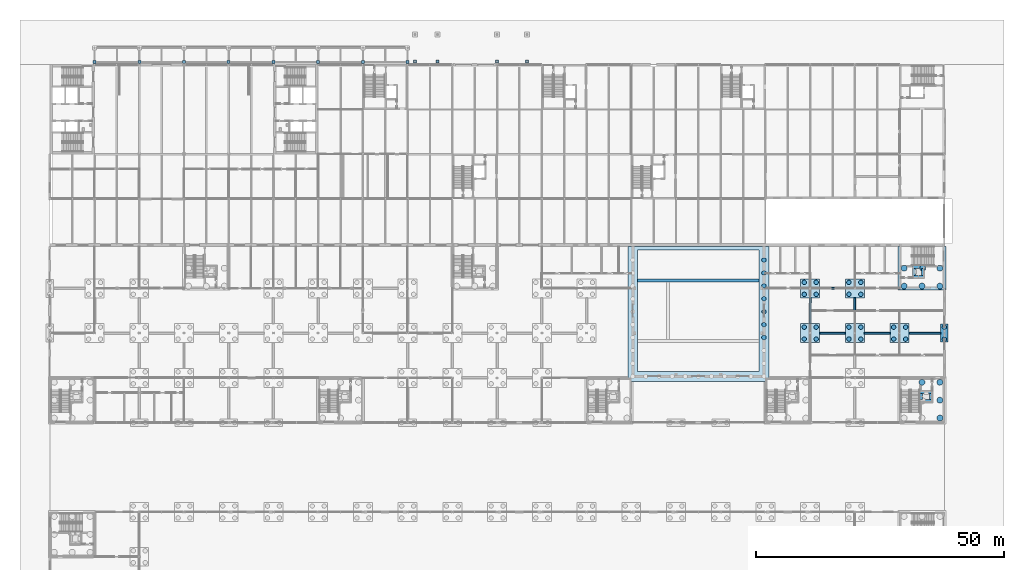
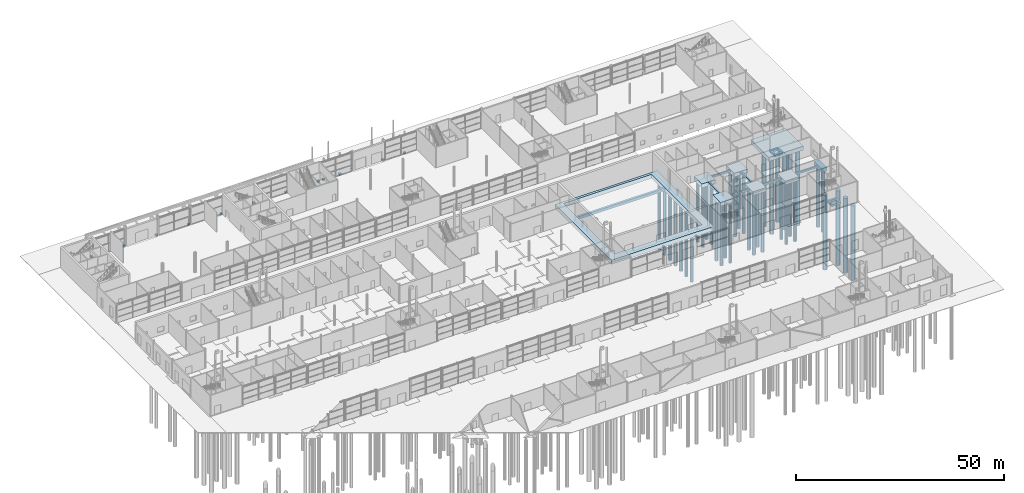
# One storey, part 6 of 97: 39 piles, 35 footings.
"""IFC4 building model written with IfcOpenShell, lengths in metres."""

from ifc_helpers import new_model, si_unit, direction, frame, origin, origin_2d, place, context, subcontext, project, spatial, polyline, rectangle, circle, outline, extrude, material, material_profile, profile_set, type_object, element, save


model = new_model("IFC4")

# Units and contexts
model_context = context("Model", 3, precision=1e-05, world=origin(), true_north=direction((0.0, 1.0)))
body_context = subcontext(model_context, "Body", "Model", "MODEL_VIEW")
ifc_project = project(units=[si_unit("LENGTHUNIT", "METRE"), si_unit("AREAUNIT", "SQUARE_METRE"), si_unit("VOLUMEUNIT", "CUBIC_METRE"), si_unit("PLANEANGLEUNIT", "RADIAN"), si_unit("MASSUNIT", "GRAM", prefix="KILO")], contexts=[model_context])

# Site, building, storey
site_placement = place(None, origin())
site = spatial("IfcSite", under=ifc_project, at=site_placement, CompositionType="ELEMENT")
building_placement = place(site_placement, origin())
building = spatial("IfcBuilding", under=site, at=building_placement, Name="Corbel Yard City Hall", CompositionType="ELEMENT")
storey_placement = place(building_placement, origin())
storey = spatial("IfcBuildingStorey", under=building, at=storey_placement, Name="L00", CompositionType="ELEMENT", Elevation=0.0)

# Footings
ifc_material = material(Name="Concrete N40 (40 MPa)", Category="concrete")
footing_type_1 = type_object("IfcFootingType", Name="Awning Pad Footing 0.6 x 0.6 x 0.5", PredefinedType="PAD_FOOTING", material=ifc_material)
footing_1_placement = place(storey_placement, frame((0.0, 0.0, -0.5)))
element("IfcFooting", 1, at=footing_1_placement, inside=storey, type_object=footing_type_1, Name="Awning Pad Footing B01", PredefinedType="PAD_FOOTING", context=body_context, shape_type="SweptSolid", body=[
    extrude(outline(polyline([(8.699951171875, 117.25), (9.300048828125, 117.25), (9.300048828125, 117.85009765625), (8.699951171875, 117.85009765625), (8.699951171875, 117.25)])), origin(), (0.0, 0.0, 1.0), 0.5),
])
footing_2_placement = place(storey_placement, frame((0.0, 0.0, -0.5)))
element("IfcFooting", 2, at=footing_2_placement, inside=storey, type_object=footing_type_1, Name="Awning Pad Footing B02", PredefinedType="PAD_FOOTING", context=body_context, shape_type="SweptSolid", body=[
    extrude(outline(polyline([(17.699951171875, 117.25), (18.300048828125, 117.25), (18.300048828125, 117.85009765625), (17.699951171875, 117.85009765625), (17.699951171875, 117.25)])), origin(), (0.0, 0.0, 1.0), 0.5),
])
footing_3_placement = place(storey_placement, frame((0.0, 0.0, -0.5)))
element("IfcFooting", 3, at=footing_3_placement, inside=storey, type_object=footing_type_1, Name="Awning Pad Footing B03", PredefinedType="PAD_FOOTING", context=body_context, shape_type="SweptSolid", body=[
    extrude(outline(polyline([(26.699951171875, 117.25), (27.300048828125, 117.25), (27.300048828125, 117.85009765625), (26.699951171875, 117.85009765625), (26.699951171875, 117.25)])), origin(), (0.0, 0.0, 1.0), 0.5),
])
footing_4_placement = place(storey_placement, frame((0.0, 0.0, -0.5)))
element("IfcFooting", 4, at=footing_4_placement, inside=storey, type_object=footing_type_1, Name="Awning Pad Footing B04", PredefinedType="PAD_FOOTING", context=body_context, shape_type="SweptSolid", body=[
    extrude(outline(polyline([(35.699951171875, 117.25), (36.300048828125, 117.25), (36.300048828125, 117.85009765625), (35.699951171875, 117.85009765625), (35.699951171875, 117.25)])), origin(), (0.0, 0.0, 1.0), 0.5),
])
footing_5_placement = place(storey_placement, frame((0.0, 0.0, -0.5)))
element("IfcFooting", 5, at=footing_5_placement, inside=storey, type_object=footing_type_1, Name="Awning Pad Footing B05", PredefinedType="PAD_FOOTING", context=body_context, shape_type="SweptSolid", body=[
    extrude(outline(polyline([(44.699951171875, 117.25), (45.300048828125, 117.25), (45.300048828125, 117.85009765625), (44.699951171875, 117.85009765625), (44.699951171875, 117.25)])), origin(), (0.0, 0.0, 1.0), 0.5),
])
footing_6_placement = place(storey_placement, frame((0.0, 0.0, -0.5)))
element("IfcFooting", 6, at=footing_6_placement, inside=storey, type_object=footing_type_1, Name="Awning Pad Footing B06", PredefinedType="PAD_FOOTING", context=body_context, shape_type="SweptSolid", body=[
    extrude(outline(polyline([(53.699951171875, 117.25), (54.300048828125, 117.25), (54.300048828125, 117.85009765625), (53.699951171875, 117.85009765625), (53.699951171875, 117.25)])), origin(), (0.0, 0.0, 1.0), 0.5),
])
footing_7_placement = place(storey_placement, frame((0.0, 0.0, -0.5)))
element("IfcFooting", 7, at=footing_7_placement, inside=storey, type_object=footing_type_1, Name="Awning Pad Footing B07", PredefinedType="PAD_FOOTING", context=body_context, shape_type="SweptSolid", body=[
    extrude(outline(polyline([(62.699951171875, 117.25), (63.300048828125, 117.25), (63.300048828125, 117.85009765625), (62.699951171875, 117.85009765625), (62.699951171875, 117.25)])), origin(), (0.0, 0.0, 1.0), 0.5),
])
footing_8_placement = place(storey_placement, frame((0.0, 0.0, -0.5)))
element("IfcFooting", 8, at=footing_8_placement, inside=storey, type_object=footing_type_1, Name="Awning Pad Footing B08", PredefinedType="PAD_FOOTING", context=body_context, shape_type="SweptSolid", body=[
    extrude(outline(polyline([(71.699951171875, 117.25), (72.300048828125, 117.25), (72.300048828125, 117.85009765625), (71.699951171875, 117.85009765625), (71.699951171875, 117.25)])), origin(), (0.0, 0.0, 1.0), 0.5),
])
footing_9_placement = place(storey_placement, frame((0.0, 0.0, -0.5)))
element("IfcFooting", 9, at=footing_9_placement, inside=storey, type_object=footing_type_1, Name="Portico Pad Footing B01", PredefinedType="PAD_FOOTING", context=body_context, shape_type="SweptSolid", body=[
    extrude(outline(polyline([(73.199951171875, 117.35009765625), (73.800048828125, 117.35009765625), (73.800048828125, 117.949951171875), (73.199951171875, 117.949951171875), (73.199951171875, 117.35009765625)])), origin(), (0.0, 0.0, 1.0), 0.5),
])
footing_10_placement = place(storey_placement, frame((0.0, 0.0, -0.5)))
element("IfcFooting", 10, at=footing_10_placement, inside=storey, type_object=footing_type_1, Name="Portico Pad Footing B02", PredefinedType="PAD_FOOTING", context=body_context, shape_type="SweptSolid", body=[
    extrude(outline(polyline([(77.699951171875, 117.35009765625), (78.300048828125, 117.35009765625), (78.300048828125, 117.949951171875), (77.699951171875, 117.949951171875), (77.699951171875, 117.35009765625)])), origin(), (0.0, 0.0, 1.0), 0.5),
])
footing_11_placement = place(storey_placement, frame((0.0, 0.0, -0.5)))
element("IfcFooting", 11, at=footing_11_placement, inside=storey, type_object=footing_type_1, Name="Portico Pad Footing B03", PredefinedType="PAD_FOOTING", context=body_context, shape_type="SweptSolid", body=[
    extrude(outline(polyline([(89.699951171875, 117.35009765625), (90.300048828125, 117.35009765625), (90.300048828125, 117.949951171875), (89.699951171875, 117.949951171875), (89.699951171875, 117.35009765625)])), origin(), (0.0, 0.0, 1.0), 0.5),
])
footing_12_placement = place(storey_placement, frame((0.0, 0.0, -0.5)))
element("IfcFooting", 12, at=footing_12_placement, inside=storey, type_object=footing_type_1, Name="Portico Pad Footing B04", PredefinedType="PAD_FOOTING", context=body_context, shape_type="SweptSolid", body=[
    extrude(outline(polyline([(95.699951171875, 117.35009765625), (96.300048828125, 117.35009765625), (96.300048828125, 117.949951171875), (95.699951171875, 117.949951171875), (95.699951171875, 117.35009765625)])), origin(), (0.0, 0.0, 1.0), 0.5),
])

# Piles
ifc_material_profile_1 = material_profile(ifc_material, circle(Radius=0.60009765625, at=origin_2d()), Name="D1200")
ifc_profile_set_1 = profile_set([ifc_material_profile_1], Name="Concrete N40 (40 MPa)")
pile_type_1 = type_object("IfcPileType", Name="Bored pile D1200", PredefinedType="BORED", material=ifc_profile_set_1)
for number, where, z_axis, x_axis, name in (
    (13, (175.5, 53.10009765625, -1.10009765625), (0.0, 0.0, -1.0), (1.0, 0.0, 0.0), "Bored pile D1200 under core raft PC13"),
    (14, (179.10009765625, 45.89990234375, -1.10009765625), (0.0, 0.0, -1.0), (1.0, 0.0, 0.0), "Bored pile D1200 under core raft PC13"),
    (15, (179.10009765625, 49.5, -1.10009765625), (0.0, 0.0, -1.0), (1.0, 0.0, 0.0), "Bored pile D1200 under core raft PC13"),
    (16, (179.10009765625, 53.10009765625, -1.10009765625), (0.0, 0.0, -1.0), (1.0, 0.0, 0.0), "Bored pile D1200 under core raft PC13"),
    (17, (171.89990234375, 72.449951171875, -1.10009765625), (0.0, 0.0, -1.0), (1.0, 0.0, 0.0), "Bored pile D1200 under core raft PC13"),
    (18, (171.89990234375, 76.050048828125, -1.10009765625), (0.0, 0.0, -1.0), (1.0, 0.0, 0.0), "Bored pile D1200 under core raft PC13"),
    (19, (175.5, 72.449951171875, -1.10009765625), (0.0, 0.0, -1.0), (1.0, 0.0, 0.0), "Bored pile D1200 under core raft PC13"),
    (20, (175.64990234375, 76.050048828125, -1.10009765625), (0.0, 0.0, -1.0), (1.0, 0.0, 0.0), "Bored pile D1200 under core raft PC13"),
    (21, (179.10009765625, 72.449951171875, -1.10009765625), (0.0, 0.0, -1.0), (1.0, 0.0, 0.0), "Bored pile D1200 under core raft PC13"),
    (22, (179.10009765625, 76.050048828125, -1.10009765625), (0.0, 0.0, -1.0), (1.0, 0.0, 0.0), "Bored pile D1200 under core raft PC13"),
):
    element("IfcPile", number, at=place(storey_placement, frame(where, z_axis=z_axis, x_axis=x_axis)), inside=storey, type_object=pile_type_1, Name=name, PredefinedType="BORED", context=body_context, shape_type="SweptSolid", body=[
        extrude(circle(Radius=0.60009765625, at=origin_2d()), origin(), (0.0, 0.0, 1.0), 22.0),
    ])
ifc_material_profile_2 = material_profile(ifc_material, circle(Radius=0.449951171875, at=origin_2d()), Name="D900")
ifc_profile_set_2 = profile_set([ifc_material_profile_2], Name="Concrete N40 (40 MPa)")
pile_type_2 = type_object("IfcPileType", Name="Bored pile D900", PredefinedType="BORED", material=ifc_profile_set_2)
for number, where, z_axis, x_axis, name in (
    (23, (151.800048828125, 61.800048828125, -1.0), (0.0, 0.0, -1.0), (1.0, 0.0, 0.0), "Bored pile D900 under cap PC3 H/18"),
    (24, (151.800048828125, 64.199951171875, -1.0), (0.0, 0.0, -1.0), (1.0, 0.0, 0.0), "Bored pile D900 under cap PC3 H/18"),
    (25, (154.199951171875, 61.800048828125, -1.0), (0.0, 0.0, -1.0), (1.0, 0.0, 0.0), "Bored pile D900 under cap PC3 H/18"),
    (26, (154.199951171875, 64.199951171875, -1.0), (0.0, 0.0, -1.0), (1.0, 0.0, 0.0), "Bored pile D900 under cap PC3 H/18"),
    (27, (151.800048828125, 70.800048828125, -1.0), (0.0, 0.0, -1.0), (1.0, 0.0, 0.0), "Bored pile D900 under cap PC3 I/18"),
    (28, (151.800048828125, 73.199951171875, -1.0), (0.0, 0.0, -1.0), (1.0, 0.0, 0.0), "Bored pile D900 under cap PC3 I/18"),
    (29, (154.199951171875, 70.800048828125, -1.0), (0.0, 0.0, -1.0), (1.0, 0.0, 0.0), "Bored pile D900 under cap PC3 I/18"),
    (30, (154.199951171875, 73.199951171875, -1.0), (0.0, 0.0, -1.0), (1.0, 0.0, 0.0), "Bored pile D900 under cap PC3 I/18"),
    (31, (160.800048828125, 61.800048828125, -1.0), (0.0, 0.0, -1.0), (1.0, 0.0, 0.0), "Bored pile D900 under cap PC3 H/19"),
    (32, (160.800048828125, 64.199951171875, -1.0), (0.0, 0.0, -1.0), (1.0, 0.0, 0.0), "Bored pile D900 under cap PC3 H/19"),
    (33, (163.199951171875, 61.800048828125, -1.0), (0.0, 0.0, -1.0), (1.0, 0.0, 0.0), "Bored pile D900 under cap PC3 H/19"),
    (34, (163.199951171875, 64.199951171875, -1.0), (0.0, 0.0, -1.0), (1.0, 0.0, 0.0), "Bored pile D900 under cap PC3 H/19"),
    (35, (160.800048828125, 70.800048828125, -1.0), (0.0, 0.0, -1.0), (1.0, 0.0, 0.0), "Bored pile D900 under cap PC3 I/19"),
    (36, (160.800048828125, 73.199951171875, -1.0), (0.0, 0.0, -1.0), (1.0, 0.0, 0.0), "Bored pile D900 under cap PC3 I/19"),
    (37, (163.199951171875, 70.800048828125, -1.0), (0.0, 0.0, -1.0), (1.0, 0.0, 0.0), "Bored pile D900 under cap PC3 I/19"),
    (38, (163.199951171875, 73.199951171875, -1.0), (0.0, 0.0, -1.0), (1.0, 0.0, 0.0), "Bored pile D900 under cap PC3 I/19"),
    (39, (169.800048828125, 61.800048828125, -1.0), (0.0, 0.0, -1.0), (1.0, 0.0, 0.0), "Bored pile D900 under cap PC3 H/20"),
    (40, (169.800048828125, 64.199951171875, -1.0), (0.0, 0.0, -1.0), (1.0, 0.0, 0.0), "Bored pile D900 under cap PC3 H/20"),
    (41, (172.199951171875, 61.800048828125, -1.0), (0.0, 0.0, -1.0), (1.0, 0.0, 0.0), "Bored pile D900 under cap PC3 H/20"),
    (42, (172.199951171875, 64.199951171875, -1.0), (0.0, 0.0, -1.0), (1.0, 0.0, 0.0), "Bored pile D900 under cap PC3 H/20"),
    (43, (180.0, 61.800048828125, -1.0), (0.0, 0.0, -1.0), (1.0, 0.0, 0.0), "Bored pile D900 under cap PC2 H/21"),
    (44, (180.0, 64.199951171875, -1.0), (0.0, 0.0, -1.0), (1.0, 0.0, 0.0), "Bored pile D900 under cap PC2 H/21"),
):
    element("IfcPile", number, at=place(storey_placement, frame(where, z_axis=z_axis, x_axis=x_axis)), inside=storey, type_object=pile_type_2, Name=name, PredefinedType="BORED", context=body_context, shape_type="SweptSolid", body=[
        extrude(circle(Radius=0.449951171875, at=origin_2d()), origin(), (0.0, 0.0, 1.0), 18.0),
    ])
for number, where, z_axis, x_axis, name in (
    (45, (143.699951171875, 62.10009765625, -1.10009765625), (0.0, 0.0, -1.0), (1.0, 0.0, 0.0), "Bored pile D900 under chamber ring cap PC12"),
    (46, (143.699951171875, 64.699951171875, -1.10009765625), (0.0, 0.0, -1.0), (1.0, 0.0, 0.0), "Bored pile D900 under chamber ring cap PC12"),
    (47, (143.699951171875, 67.300048828125, -1.10009765625), (0.0, 0.0, -1.0), (1.0, 0.0, 0.0), "Bored pile D900 under chamber ring cap PC12"),
    (48, (143.699951171875, 69.89990234375, -1.10009765625), (0.0, 0.0, -1.0), (1.0, 0.0, 0.0), "Bored pile D900 under chamber ring cap PC12"),
    (49, (143.699951171875, 72.5, -1.10009765625), (0.0, 0.0, -1.0), (1.0, 0.0, 0.0), "Bored pile D900 under chamber ring cap PC12"),
    (50, (143.699951171875, 75.10009765625, -1.10009765625), (0.0, 0.0, -1.0), (1.0, 0.0, 0.0), "Bored pile D900 under chamber ring cap PC12"),
    (51, (143.699951171875, 77.699951171875, -1.10009765625), (0.0, 0.0, -1.0), (1.0, 0.0, 0.0), "Bored pile D900 under chamber ring cap PC12"),
):
    element("IfcPile", number, at=place(storey_placement, frame(where, z_axis=z_axis, x_axis=x_axis)), inside=storey, type_object=pile_type_2, Name=name, PredefinedType="BORED", context=body_context, shape_type="SweptSolid", body=[
        extrude(circle(Radius=0.449951171875, at=origin_2d()), origin(), (0.0, 0.0, 1.0), 20.0),
    ])

# Footings
footing_type_2 = type_object("IfcFootingType", Name="Chamber ground beam 600 x 800", PredefinedType="FOOTING_BEAM", material=ifc_material)
footing_13_placement = place(storey_placement, frame((0.0, 0.0, -1.0)))
element("IfcFooting", 52, at=footing_13_placement, inside=storey, type_object=footing_type_2, Name="Chamber ground beam N", PredefinedType="FOOTING_BEAM", context=body_context, shape_type="SweptSolid", body=[
    extrude(outline(polyline([(142.699951171875, 73.300048828125), (142.699951171875, 73.89990234375), (118.300048828125, 73.89990234375), (118.300048828125, 73.300048828125), (142.699951171875, 73.300048828125)])), origin(), (0.0, 0.0, 1.0), 0.800048828125),
])
footing_type_3 = type_object("IfcFootingType", Name="Chamber ring cap", PredefinedType="PILE_CAP", material=ifc_material)
footing_14_placement = place(storey_placement, frame((0.0, 0.0, -1.199951171875)))
element("IfcFooting", 53, at=footing_14_placement, inside=storey, type_object=footing_type_3, Name="Chamber ring cap PC12", PredefinedType="PILE_CAP", context=body_context, shape_type="SweptSolid", body=[
    extrude(outline(polyline([(116.300048828125, 80.39990234375), (116.300048828125, 53.300048828125), (144.699951171875, 53.300048828125), (144.699951171875, 80.39990234375), (116.300048828125, 80.39990234375)]), holes=[polyline([(118.300048828125, 79.699951171875), (142.699951171875, 79.699951171875), (142.699951171875, 55.300048828125), (118.300048828125, 55.300048828125), (118.300048828125, 79.699951171875)])]), origin(), (0.0, 0.0, 1.0), 1.199951171875),
])
footing_type_4 = type_object("IfcFootingType", Name="Core cell raft 9.6 x 9.6 x 1.2", PredefinedType="PILE_CAP", material=ifc_material)
footing_15_placement = place(storey_placement, frame((0.0, 0.0, -1.199951171875)))
element("IfcFooting", 54, at=footing_15_placement, inside=storey, type_object=footing_type_4, Name="Core cell raft PC13 PC-M8", PredefinedType="PILE_CAP", context=body_context, shape_type="SweptSolid", body=[
    extrude(outline(polyline([(170.699951171875, 71.699951171875), (180.300048828125, 71.699951171875), (180.300048828125, 80.39990234375), (170.699951171875, 80.39990234375), (170.699951171875, 71.699951171875)])), origin(), (0.0, 0.0, 1.0), 1.199951171875),
])
footing_type_5 = type_object("IfcFootingType", Name="Ground beam 400 x 600", PredefinedType="FOOTING_BEAM", material=ifc_material)
footing_16_placement = place(storey_placement, frame((157.5, 63.0, -0.60009765625), z_axis=(0.0, 0.0, 1.0), x_axis=(1.0, 0.0, 0.0)))
element("IfcFooting", 55, at=footing_16_placement, inside=storey, type_object=footing_type_5, Name="Ground beam 400 x 600 H/18-H/19", PredefinedType="FOOTING_BEAM", context=body_context, shape_type="SweptSolid", body=[
    extrude(rectangle(XDim=5.199951171875, YDim=0.39990234375, at=origin_2d()), origin(), (0.0, 0.0, 1.0), 0.60009765625),
])
footing_17_placement = place(storey_placement, frame((153.0, 67.5, -0.60009765625), z_axis=(0.0, 0.0, 1.0), x_axis=(1.0, 0.0, 0.0)))
element("IfcFooting", 56, at=footing_17_placement, inside=storey, type_object=footing_type_5, Name="Ground beam 400 x 600 H/18-I/18", PredefinedType="FOOTING_BEAM", context=body_context, shape_type="SweptSolid", body=[
    extrude(rectangle(XDim=0.39990234375, YDim=5.199951171875, at=origin_2d()), origin(), (0.0, 0.0, 1.0), 0.60009765625),
])
for number, where, z_axis, x_axis, name in (
    (57, (157.5, 72.0, -0.60009765625), (0.0, 0.0, 1.0), (1.0, 0.0, 0.0), "Ground beam 400 x 600 I/18-I/19"),
    (58, (166.5, 63.0, -0.60009765625), (0.0, 0.0, 1.0), (1.0, 0.0, 0.0), "Ground beam 400 x 600 H/19-H/20"),
):
    element("IfcFooting", number, at=place(storey_placement, frame(where, z_axis=z_axis, x_axis=x_axis)), inside=storey, type_object=footing_type_5, Name=name, PredefinedType="FOOTING_BEAM", context=body_context, shape_type="SweptSolid", body=[
        extrude(rectangle(XDim=5.199951171875, YDim=0.39990234375, at=origin_2d()), origin(), (0.0, 0.0, 1.0), 0.60009765625),
    ])
footing_18_placement = place(storey_placement, frame((162.0, 67.5, -0.60009765625), z_axis=(0.0, 0.0, 1.0), x_axis=(1.0, 0.0, 0.0)))
element("IfcFooting", 59, at=footing_18_placement, inside=storey, type_object=footing_type_5, Name="Ground beam 400 x 600 H/19-I/19", PredefinedType="FOOTING_BEAM", context=body_context, shape_type="SweptSolid", body=[
    extrude(rectangle(XDim=0.39990234375, YDim=5.199951171875, at=origin_2d()), origin(), (0.0, 0.0, 1.0), 0.60009765625),
])
footing_19_placement = place(storey_placement, frame((176.074951171875, 63.0, -0.60009765625), z_axis=(0.0, 0.0, 1.0), x_axis=(1.0, 0.0, 0.0)))
element("IfcFooting", 60, at=footing_19_placement, inside=storey, type_object=footing_type_5, Name="Ground beam 400 x 600 H/20-H/21", PredefinedType="FOOTING_BEAM", context=body_context, shape_type="SweptSolid", body=[
    extrude(rectangle(XDim=6.35009765625, YDim=0.39990234375, at=origin_2d()), origin(), (0.0, 0.0, 1.0), 0.60009765625),
])
footing_type_6 = type_object("IfcFootingType", Name="Lift pit strip footing 600 x 600", PredefinedType="FOOTING_BEAM", material=ifc_material)
footing_20_placement = place(storey_placement, frame((0.0, 0.0, -2.300048828125)))
element("IfcFooting", 61, at=footing_20_placement, inside=storey, type_object=footing_type_6, Name="Lift pit strip footing LP12 S", PredefinedType="FOOTING_BEAM", context=body_context, shape_type="SweptSolid", body=[
    extrude(outline(polyline([(177.64990234375, 49.0), (177.64990234375, 49.60009765625), (175.050048828125, 49.60009765625), (175.050048828125, 49.0), (177.64990234375, 49.0)])), origin(), (0.0, 0.0, 1.0), 0.60009765625),
])
footing_21_placement = place(storey_placement, frame((0.0, 0.0, -2.300048828125)))
element("IfcFooting", 62, at=footing_21_placement, inside=storey, type_object=footing_type_6, Name="Lift pit strip footing LP12 N", PredefinedType="FOOTING_BEAM", context=body_context, shape_type="SweptSolid", body=[
    extrude(outline(polyline([(177.64990234375, 50.800048828125), (177.64990234375, 51.39990234375), (175.050048828125, 51.39990234375), (175.050048828125, 50.800048828125), (177.64990234375, 50.800048828125)])), origin(), (0.0, 0.0, 1.0), 0.60009765625),
])
footing_22_placement = place(storey_placement, frame((0.0, 0.0, -2.300048828125)))
element("IfcFooting", 63, at=footing_22_placement, inside=storey, type_object=footing_type_6, Name="Lift pit strip footing LP12 W", PredefinedType="FOOTING_BEAM", context=body_context, shape_type="SweptSolid", body=[
    extrude(outline(polyline([(175.64990234375, 49.60009765625), (175.64990234375, 50.800048828125), (175.050048828125, 50.800048828125), (175.050048828125, 49.60009765625), (175.64990234375, 49.60009765625)])), origin(), (0.0, 0.0, 1.0), 0.60009765625),
])
footing_23_placement = place(storey_placement, frame((0.0, 0.0, -2.300048828125)))
element("IfcFooting", 64, at=footing_23_placement, inside=storey, type_object=footing_type_6, Name="Lift pit strip footing LP12 E", PredefinedType="FOOTING_BEAM", context=body_context, shape_type="SweptSolid", body=[
    extrude(outline(polyline([(177.64990234375, 49.60009765625), (177.64990234375, 50.800048828125), (177.050048828125, 50.800048828125), (177.050048828125, 49.60009765625), (177.64990234375, 49.60009765625)])), origin(), (0.0, 0.0, 1.0), 0.60009765625),
])
footing_24_placement = place(storey_placement, frame((0.0, 0.0, -2.300048828125)))
element("IfcFooting", 65, at=footing_24_placement, inside=storey, type_object=footing_type_6, Name="Lift pit strip footing LP15 S", PredefinedType="FOOTING_BEAM", context=body_context, shape_type="SweptSolid", body=[
    extrude(outline(polyline([(176.0, 74.0), (176.0, 74.60009765625), (173.60009765625, 74.60009765625), (173.60009765625, 74.0), (176.0, 74.0)])), origin(), (0.0, 0.0, 1.0), 0.60009765625),
])
footing_25_placement = place(storey_placement, frame((0.0, 0.0, -2.300048828125)))
element("IfcFooting", 66, at=footing_25_placement, inside=storey, type_object=footing_type_6, Name="Lift pit strip footing LP15 N", PredefinedType="FOOTING_BEAM", context=body_context, shape_type="SweptSolid", body=[
    extrude(outline(polyline([(176.0, 76.0), (176.0, 76.60009765625), (173.60009765625, 76.60009765625), (173.60009765625, 76.0), (176.0, 76.0)])), origin(), (0.0, 0.0, 1.0), 0.60009765625),
])
footing_26_placement = place(storey_placement, frame((0.0, 0.0, -2.300048828125)))
element("IfcFooting", 67, at=footing_26_placement, inside=storey, type_object=footing_type_6, Name="Lift pit strip footing LP15 W", PredefinedType="FOOTING_BEAM", context=body_context, shape_type="SweptSolid", body=[
    extrude(outline(polyline([(174.199951171875, 74.60009765625), (174.199951171875, 76.0), (173.60009765625, 76.0), (173.60009765625, 74.60009765625), (174.199951171875, 74.60009765625)])), origin(), (0.0, 0.0, 1.0), 0.60009765625),
])
footing_27_placement = place(storey_placement, frame((0.0, 0.0, -2.300048828125)))
element("IfcFooting", 68, at=footing_27_placement, inside=storey, type_object=footing_type_6, Name="Lift pit strip footing LP15 E", PredefinedType="FOOTING_BEAM", context=body_context, shape_type="SweptSolid", body=[
    extrude(outline(polyline([(176.0, 74.60009765625), (176.0, 76.0), (175.39990234375, 76.0), (175.39990234375, 74.60009765625), (176.0, 74.60009765625)])), origin(), (0.0, 0.0, 1.0), 0.60009765625),
])
footing_type_7 = type_object("IfcFootingType", Name="Pile cap (column) 3.8 x 3.8 x 1.1", PredefinedType="PILE_CAP", material=ifc_material)
for number, where, z_axis, x_axis, name in (
    (69, (153.0, 63.0, -1.10009765625), (0.0, 0.0, 1.0), (1.0, 0.0, 0.0), "Pile cap PC3 H/18"),
    (70, (153.0, 72.0, -1.10009765625), (0.0, 0.0, 1.0), (1.0, 0.0, 0.0), "Pile cap PC3 I/18"),
    (71, (162.0, 63.0, -1.10009765625), (0.0, 0.0, 1.0), (1.0, 0.0, 0.0), "Pile cap PC3 H/19"),
    (72, (162.0, 72.0, -1.10009765625), (0.0, 0.0, 1.0), (1.0, 0.0, 0.0), "Pile cap PC3 I/19"),
    (73, (171.0, 63.0, -1.10009765625), (0.0, 0.0, 1.0), (1.0, 0.0, 0.0), "Pile cap PC3 H/20"),
):
    element("IfcFooting", number, at=place(storey_placement, frame(where, z_axis=z_axis, x_axis=x_axis)), inside=storey, type_object=footing_type_7, Name=name, PredefinedType="PILE_CAP", context=body_context, shape_type="SweptSolid", body=[
        extrude(rectangle(XDim=3.800048828125, YDim=3.800048828125, at=origin_2d()), origin(), (0.0, 0.0, 1.0), 1.10009765625),
    ])
footing_type_8 = type_object("IfcFootingType", Name="Pile cap (edge column, two piles) 1.5 x 3.6 x 1.1", PredefinedType="PILE_CAP", material=ifc_material)
footing_28_placement = place(storey_placement, frame((180.0, 63.0, -1.10009765625), z_axis=(0.0, 0.0, 1.0), x_axis=(1.0, 0.0, 0.0)))
element("IfcFooting", 74, at=footing_28_placement, inside=storey, type_object=footing_type_8, Name="Pile cap PC2 H/21", PredefinedType="PILE_CAP", context=body_context, shape_type="SweptSolid", body=[
    extrude(rectangle(XDim=1.5, YDim=3.60009765625, at=origin_2d()), origin(), (0.0, 0.0, 1.0), 1.10009765625),
])

save(model, "model.ifc")
